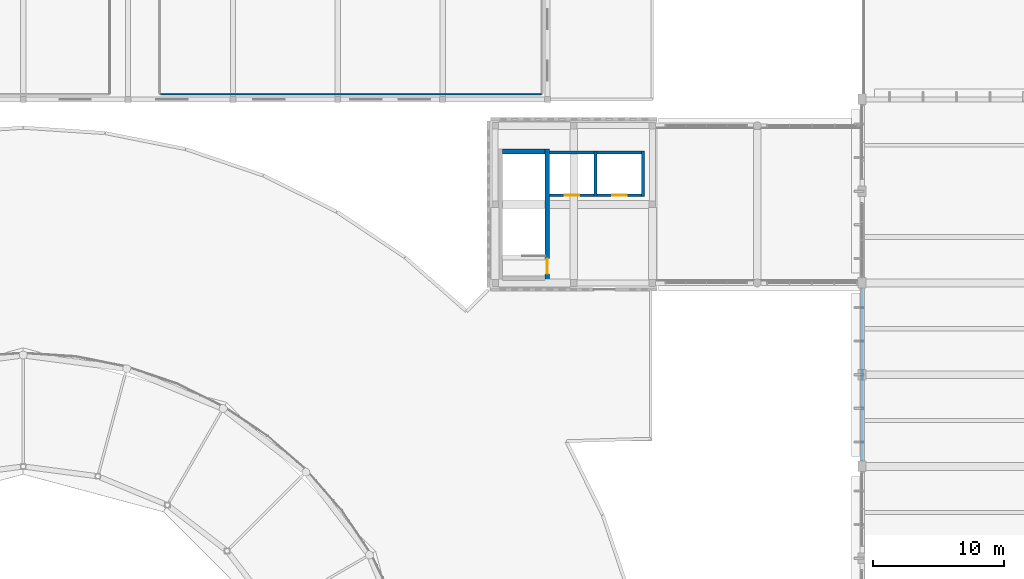
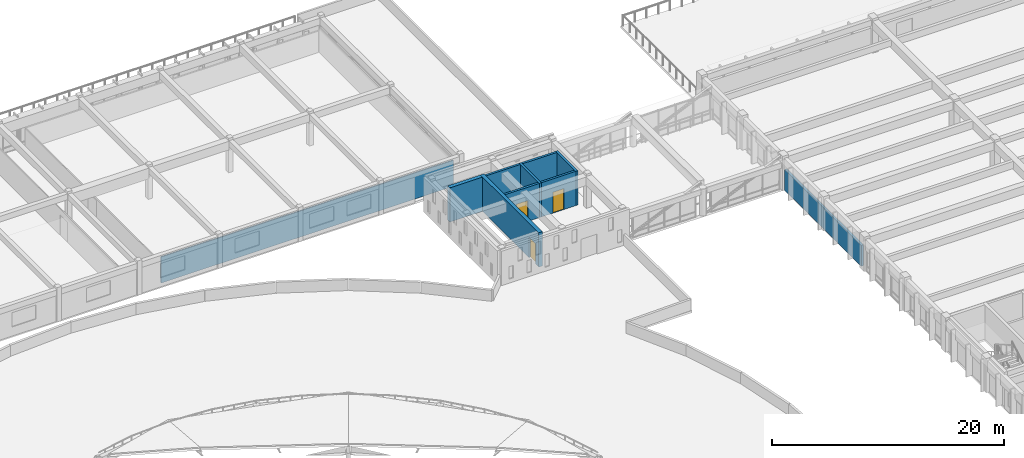
# One storey, part 58 of 77: 10 walls, 3 doors, 3 openings.
"""IFC4 building model written with IfcOpenShell, lengths in metres."""

from ifc_helpers import new_model, si_unit, direction, frame, frame_2d, origin, place, context, subcontext, project, spatial, rectangle, extrude, material, layer, layer_set, type_object, element, fill, save


model = new_model("IFC4")

# Units and contexts
model_context = context("Model", 3, precision=1e-05, world=origin(), true_north=direction((0.0, 1.0)))
body_context = subcontext(model_context, "Body", "Model", "MODEL_VIEW")
ifc_project = project(units=[si_unit("LENGTHUNIT", "METRE"), si_unit("AREAUNIT", "SQUARE_METRE"), si_unit("VOLUMEUNIT", "CUBIC_METRE"), si_unit("PLANEANGLEUNIT", "RADIAN"), si_unit("MASSUNIT", "GRAM", prefix="KILO")], contexts=[model_context])

# Site, building, storey
site_placement = place(None, origin())
site = spatial("IfcSite", under=ifc_project, at=site_placement, CompositionType="ELEMENT")
building_placement = place(site_placement, origin())
building = spatial("IfcBuilding", under=site, at=building_placement, Name="Larkveld Mobility Hub", CompositionType="ELEMENT")
storey_placement = place(building_placement, frame((0.0, 0.0, 12.0)))
storey = spatial("IfcBuildingStorey", under=building, at=storey_placement, Name="L03", CompositionType="ELEMENT", Elevation=12.0)

# Walls
ifc_material_1 = material(Name="Glazed architectural ceramic masonry 20 MPa", Category="masonry")
ifc_layer_1 = layer(ifc_material_1, 0.2099609375, Name="Glazed architectural ceramic masonry 20 MPa", Category="masonry")
ifc_layer_set_1 = layer_set([ifc_layer_1], Name="Glazed architectural ceramic masonry 20 MPa")
wall_type_1 = type_object("IfcWallType", Name="WL-COB-210", PredefinedType="USERDEFINED", material=ifc_layer_set_1)
wall_1_placement = place(storey_placement, frame((112.0, 83.590087890625, 0.0), z_axis=(0.0, 0.0, 1.0), x_axis=(0.0, -1.0, 0.0)))
element("IfcWall", 1, at=wall_1_placement, inside=storey, type_object=wall_type_1, Name="EV Wing West Ventilated Facade L03-0235", ObjectType="CERAMIC COBOGO SCREEN", PredefinedType="USERDEFINED", context=body_context, shape_type="SweptSolid", body=[
    extrude(rectangle(XDim=13.18017578125, YDim=0.2099609375, at=frame_2d((6.590087890625, 0.0))), origin(), (0.0, 0.0, 1.0), 2.195068359375),
])
ifc_material_2 = material(Name="Concrete blockwork masonry 14 MPa", Category="masonry")
ifc_layer_2 = layer(ifc_material_2, 0.110107421875, Name="Concrete blockwork masonry 14 MPa", Category="masonry")
ifc_layer_set_2 = layer_set([ifc_layer_2], Name="Concrete blockwork masonry 14 MPa")
wall_type_2 = type_object("IfcWallType", Name="WL-PRT-110", PredefinedType="PARTITIONING", material=ifc_layer_set_2)
wall_2_placement = place(storey_placement, frame((58.47998046875, 98.39990234375, 0.0), z_axis=(0.0, 0.0, 1.0), x_axis=(1.0, 0.0, 0.0)))
element("IfcWall", 2, at=wall_2_placement, inside=storey, type_object=wall_type_2, Name="Community Transport Forum Conference Hall Partition 0188", PredefinedType="PARTITIONING", context=body_context, shape_type="SweptSolid", body=[
    extrude(rectangle(XDim=29.034912109375, YDim=0.110107421875, at=frame_2d((14.517578125, 0.0))), origin(), (0.0, 0.0, 1.0), 2.7451171875),
])
ifc_material_3 = material(Name="Concrete C40/50", Category="concrete")
ifc_layer_3 = layer(ifc_material_3, 0.219970703125, Name="Concrete C40/50", Category="concrete")
ifc_layer_set_3 = layer_set([ifc_layer_3], Name="Concrete C40/50")
wall_type_3 = type_object("IfcWallType", Name="WL-SHF-220", PredefinedType="SHEAR", material=ifc_layer_set_3)
wall_3_placement = place(storey_placement, frame((91.669921875, 94.070068359375, 0.0), z_axis=(0.0, 0.0, 1.0), x_axis=(0.0, -1.0, 0.0)))
element("IfcWall", 3, at=wall_3_placement, inside=storey, type_object=wall_type_3, Name="Lift PL3 Shaft Wall L03-E", PredefinedType="SHEAR", context=body_context, shape_type="SweptSolid", body=[
    extrude(rectangle(XDim=3.489990234375, YDim=0.219970703125, at=frame_2d((1.7451171875, 0.0))), origin(), (0.0, 0.0, 1.0), 3.60009765625),
])

# Wall, opening, door
wall_4_placement = place(storey_placement, frame((91.56005859375, 90.68994140625, 0.0), z_axis=(0.0, 0.0, 1.0), x_axis=(-1.0, 0.0, 0.0)))
wall_4 = element("IfcWall", 4, at=wall_4_placement, inside=storey, type_object=wall_type_3, Name="Lift PL3 Shaft Wall L03-S", PredefinedType="SHEAR", context=body_context, shape_type="SweptSolid", body=[
    extrude(rectangle(XDim=3.400146484375, YDim=0.219970703125, at=frame_2d((1.7001953125, 0.0))), origin(), (0.0, 0.0, 1.0), 3.60009765625),
])
opening_1_placement = place(wall_4_placement, frame((1.14990234375, 0.0, 0.0)))
opening_1 = element("IfcOpeningElement", 5, at=opening_1_placement, cuts=wall_4, Name="Opening LD01", PredefinedType="OPENING", context=body_context, shape_type="SweptSolid", body=[
    extrude(rectangle(XDim=1.10009765625, YDim=2.199951171875, at=frame_2d((0.550048828125, 1.10009765625))), frame((0.0, 0.1201171875, 0.0), z_axis=(0.0, -1.0, 0.0), x_axis=(1.0, 0.0, 0.0)), (0.0, 0.0, 1.0), 0.239990234375),
])
ifc_material_4 = material(Name="Brushed stainless Steel S355JR sliding landing door", Category="steel")
door_type_1 = type_object("IfcDoorType", Name="DR-LD-110", OperationType="DOUBLE_DOOR_SLIDING", PredefinedType="DOOR", material=ifc_material_4)
door_1_placement = place(opening_1_placement, origin())
door_1 = element("IfcDoor", 6, at=door_1_placement, inside=storey, type_object=door_type_1, Name="Lift landing door PL3-L03", OperationType="DOUBLE_DOOR_SLIDING", OverallHeight=2.199951171875, OverallWidth=1.10009765625, PredefinedType="DOOR", context=body_context, shape_type="SweptSolid", body=[
    extrude(rectangle(XDim=1.10009765625, YDim=2.199951171875, at=frame_2d((0.550048828125, 1.10009765625))), frame((0.0, 0.02490234375, 0.0), z_axis=(0.0, -1.0, 0.0), x_axis=(1.0, 0.0, 0.0)), (0.0, 0.0, 1.0), 0.050048828125),
])
fill(opening_1, door_1)

# Walls
wall_5_placement = place(storey_placement, frame((88.159912109375, 93.9599609375, 0.0), z_axis=(0.0, 0.0, 1.0), x_axis=(1.0, 0.0, 0.0)))
element("IfcWall", 7, at=wall_5_placement, inside=storey, type_object=wall_type_3, Name="Lift PL3 Shaft Wall L03-N", PredefinedType="SHEAR", context=body_context, shape_type="SweptSolid", body=[
    extrude(rectangle(XDim=3.400146484375, YDim=0.219970703125, at=frame_2d((1.7001953125, 0.0))), origin(), (0.0, 0.0, 1.0), 3.60009765625),
])
wall_6_placement = place(storey_placement, frame((95.2900390625, 94.070068359375, 0.0), z_axis=(0.0, 0.0, 1.0), x_axis=(0.0, -1.0, 0.0)))
element("IfcWall", 8, at=wall_6_placement, inside=storey, type_object=wall_type_3, Name="Lift PL4 Shaft Wall L03-E", PredefinedType="SHEAR", context=body_context, shape_type="SweptSolid", body=[
    extrude(rectangle(XDim=3.489990234375, YDim=0.219970703125, at=frame_2d((1.7451171875, 0.0))), origin(), (0.0, 0.0, 1.0), 3.60009765625),
])

# Wall, opening, door
wall_7_placement = place(storey_placement, frame((95.179931640625, 90.68994140625, 0.0), z_axis=(0.0, 0.0, 1.0), x_axis=(-1.0, 0.0, 0.0)))
wall_7 = element("IfcWall", 9, at=wall_7_placement, inside=storey, type_object=wall_type_3, Name="Lift PL4 Shaft Wall L03-S", PredefinedType="SHEAR", context=body_context, shape_type="SweptSolid", body=[
    extrude(rectangle(XDim=3.39990234375, YDim=0.219970703125, at=frame_2d((1.699951171875, 0.0))), origin(), (0.0, 0.0, 1.0), 3.60009765625),
])
opening_2_placement = place(wall_7_placement, frame((1.14990234375, 0.0, 0.0)))
opening_2 = element("IfcOpeningElement", 10, at=opening_2_placement, cuts=wall_7, Name="Opening LD01", PredefinedType="OPENING", context=body_context, shape_type="SweptSolid", body=[
    extrude(rectangle(XDim=1.10009765625, YDim=2.199951171875, at=frame_2d((0.550048828125, 1.10009765625))), frame((0.0, 0.1201171875, 0.0), z_axis=(0.0, -1.0, 0.0), x_axis=(1.0, 0.0, 0.0)), (0.0, 0.0, 1.0), 0.239990234375),
])
door_2_placement = place(opening_2_placement, origin())
door_2 = element("IfcDoor", 11, at=door_2_placement, inside=storey, type_object=door_type_1, Name="Lift landing door PL4-L03", OperationType="DOUBLE_DOOR_SLIDING", OverallHeight=2.199951171875, OverallWidth=1.10009765625, PredefinedType="DOOR", context=body_context, shape_type="SweptSolid", body=[
    extrude(rectangle(XDim=1.10009765625, YDim=2.199951171875, at=frame_2d((0.550048828125, 1.10009765625))), frame((0.0, 0.02490234375, 0.0), z_axis=(0.0, -1.0, 0.0), x_axis=(1.0, 0.0, 0.0)), (0.0, 0.0, 1.0), 0.050048828125),
])
fill(opening_2, door_2)

# Wall
wall_8_placement = place(storey_placement, frame((91.780029296875, 93.9599609375, 0.0), z_axis=(0.0, 0.0, 1.0), x_axis=(1.0, 0.0, 0.0)))
element("IfcWall", 12, at=wall_8_placement, inside=storey, type_object=wall_type_3, Name="Lift PL4 Shaft Wall L03-N", PredefinedType="SHEAR", context=body_context, shape_type="SweptSolid", body=[
    extrude(rectangle(XDim=3.39990234375, YDim=0.219970703125, at=frame_2d((1.699951171875, 0.0))), origin(), (0.0, 0.0, 1.0), 3.60009765625),
])

# Wall, opening, door
ifc_layer_4 = layer(ifc_material_3, 0.360107421875, Name="Concrete C40/50", Category="concrete")
ifc_layer_set_4 = layer_set([ifc_layer_4], Name="Concrete C40/50")
wall_type_4 = type_object("IfcWallType", Name="WL-SHR-05", PredefinedType="SHEAR", material=ifc_layer_set_4)
wall_9_placement = place(storey_placement, frame((87.97998046875, 94.2099609375, 0.0), z_axis=(0.0, 0.0, 1.0), x_axis=(0.0, -1.0, 0.0)))
wall_9 = element("IfcWall", 13, at=wall_9_placement, inside=storey, type_object=wall_type_4, Name="Core C5 Stair Shear Wall L03-E", PredefinedType="SHEAR", context=body_context, shape_type="SweptSolid", body=[
    extrude(rectangle(XDim=10.02001953125, YDim=0.360107421875, at=frame_2d((5.010009765625, 0.0))), origin(), (0.0, 0.0, 1.0), 3.60009765625),
])
opening_3_placement = place(wall_9_placement, frame((8.360107421875, 0.0, 0.0)))
opening_3 = element("IfcOpeningElement", 14, at=opening_3_placement, cuts=wall_9, Name="Opening DF01", PredefinedType="OPENING", context=body_context, shape_type="SweptSolid", body=[
    extrude(rectangle(XDim=1.14990234375, YDim=2.14990234375, at=frame_2d((0.574951171875, 1.074951171875))), frame((0.0, 0.18994140625, 0.0), z_axis=(0.0, -1.0, 0.0), x_axis=(1.0, 0.0, 0.0)), (0.0, 0.0, 1.0), 0.380126953125),
])
ifc_material_5 = material(Name="Pressed Steel S355JR fire door assembly", Category="steel")
door_type_2 = type_object("IfcDoorType", Name="DR-FD120", OperationType="NOTDEFINED", PredefinedType="DOOR", material=ifc_material_5)
door_3_placement = place(opening_3_placement, origin())
door_3 = element("IfcDoor", 15, at=door_3_placement, inside=storey, type_object=door_type_2, Name="Stair ST5 Fire Door L03", OperationType="SINGLE_SWING_LEFT", OverallHeight=2.14990234375, OverallWidth=1.14990234375, PredefinedType="DOOR", context=body_context, shape_type="SweptSolid", body=[
    extrude(rectangle(XDim=1.14990234375, YDim=2.14990234375, at=frame_2d((0.574951171875, 1.074951171875))), frame((0.0, 0.02490234375, 0.0), z_axis=(0.0, -1.0, 0.0), x_axis=(1.0, 0.0, 0.0)), (0.0, 0.0, 1.0), 0.050048828125),
])
fill(opening_3, door_3)

# Wall
wall_10_placement = place(storey_placement, frame((84.550048828125, 94.030029296875, 0.0), z_axis=(0.0, 0.0, 1.0), x_axis=(1.0, 0.0, 0.0)))
element("IfcWall", 16, at=wall_10_placement, inside=storey, type_object=wall_type_4, Name="Core C5 Stair Shear Wall L03-N", PredefinedType="SHEAR", context=body_context, shape_type="SweptSolid", body=[
    extrude(rectangle(XDim=3.25, YDim=0.360107421875, at=frame_2d((1.625, 0.0))), origin(), (0.0, 0.0, 1.0), 3.60009765625),
])

save(model, "model.ifc")
